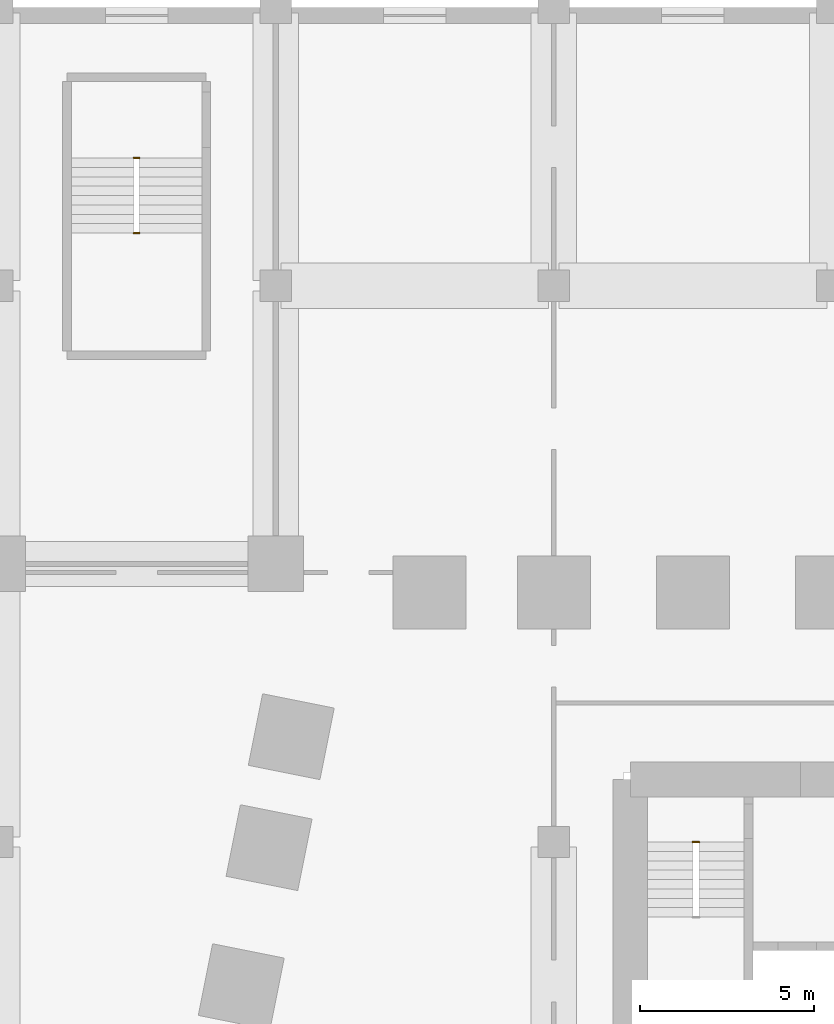
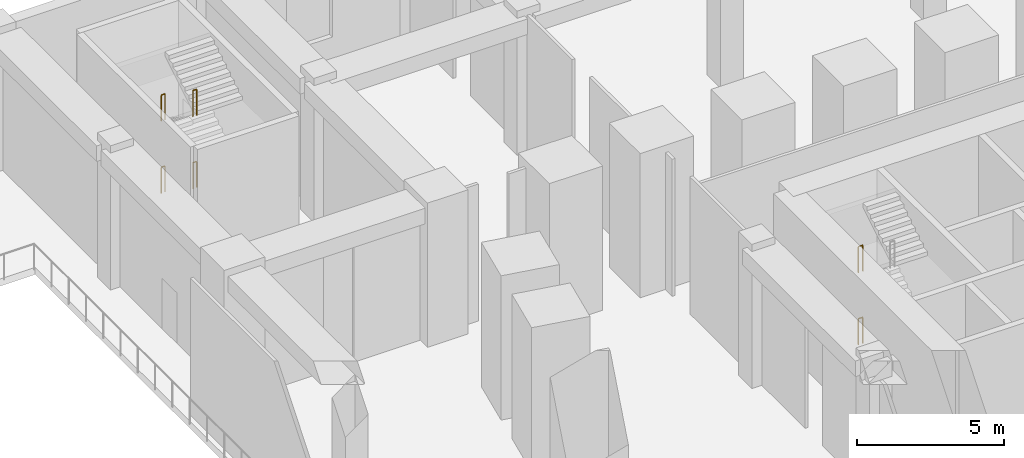
# One storey, part 23 of 25: 6 railings.
"""IFC4 building model written with IfcOpenShell, lengths in metres."""

import ifcopenshell
import ifcopenshell.guid

model = None  # the IFC model being written
_history = None  # IfcOwnerHistory: only IFC2X3 demands one
_inside = {}  # id of a spatial element -> (the spatial element, [elements in it])
_under = {}  # id of a project, library or spatial element -> (it, [spatial elements below it])
_declared = {}  # id of a project -> (the project, [libraries it declares])
_typed = {}  # id of a type object -> (the type object, [elements of that type])
_made_of = {}  # id of a material, layer set ... -> (it, [elements and type objects made of it])


def new_model(schema):
    """Start an empty IFC model of exactly this schema.

    Asked for "IFC4X3", IfcOpenShell would pick the latest addendum, in which some entities
    have other attributes; the version numbers below select the first issue.
    IFC2X3 requires an IfcOwnerHistory on every rooted entity: one is made here for all.
    """
    global model, _history
    if schema == "IFC4X3":
        model = ifcopenshell.file(schema_version=(4, 3, 0, 0))
    else:
        model = ifcopenshell.file(schema=schema)
    _inside.clear()
    _under.clear()
    _declared.clear()
    _typed.clear()
    _made_of.clear()
    _history = None
    if model.schema == "IFC2X3":
        org = make("IfcOrganization", Name="unknown")
        user = make(
            "IfcPersonAndOrganization",
            ThePerson=make("IfcPerson", FamilyName="unknown"),
            TheOrganization=org,
        )
        app = make(
            "IfcApplication",
            ApplicationDeveloper=org,
            Version="unknown",
            ApplicationFullName="unknown",
            ApplicationIdentifier="unknown",
        )
        _history = make(
            "IfcOwnerHistory",
            OwningUser=user,
            OwningApplication=app,
            ChangeAction="ADDED",
            CreationDate=0,
        )
    return model


def make(cls, **values):
    """One entity of the class cls with the attributes given. An attribute that is None is left unset."""
    return model.create_entity(
        cls, **{name: value for name, value in values.items() if value is not None}
    )


def rooted(cls, **values):
    """An entity with a GlobalId (a new one), such as an element, a storey or a relation."""
    return make(cls, GlobalId=ifcopenshell.guid.new(), OwnerHistory=_history, **values)


def si_unit(unit_type, name, prefix=None):
    """IfcSIUnit, for example si_unit("LENGTHUNIT", "METRE", prefix="MILLI")."""
    return make("IfcSIUnit", UnitType=unit_type, Prefix=prefix, Name=name)


def assignment(units):
    """IfcUnitAssignment: the units of a project."""
    return None if units is None else make("IfcUnitAssignment", Units=units)


def point(xyz):
    """IfcCartesianPoint."""
    return None if xyz is None else make("IfcCartesianPoint", Coordinates=xyz)


def direction(xyz):
    """IfcDirection."""
    return None if xyz is None else make("IfcDirection", DirectionRatios=xyz)


def frame(location, z_axis=None, x_axis=None):
    """IfcAxis2Placement3D, a coordinate frame: its origin and axes. An axis left out is left unset."""
    return make(
        "IfcAxis2Placement3D",
        Location=point(location),
        Axis=direction(z_axis),
        RefDirection=direction(x_axis),
    )


def frame_2d(location, x_axis=None):
    """IfcAxis2Placement2D, a coordinate frame in the plane: its origin and x axis."""
    return make(
        "IfcAxis2Placement2D", Location=point(location), RefDirection=direction(x_axis)
    )


def origin():
    """The frame at (0, 0, 0) with its axes left unset."""
    return frame((0.0, 0.0, 0.0))


def origin_2d():
    """The frame at (0, 0) in the plane with its x axis left unset."""
    return frame_2d((0.0, 0.0))


def place(relative_to, where):
    """IfcLocalPlacement: puts the frame where relative to a parent placement (None: the world)."""
    return make(
        "IfcLocalPlacement", PlacementRelTo=relative_to, RelativePlacement=where
    )


def context(
    kind, dimensions, precision=None, world=None, true_north=None, identifier=None
):
    """IfcGeometricRepresentationContext, for example the 3D "Model" context."""
    return make(
        "IfcGeometricRepresentationContext",
        ContextIdentifier=identifier,
        ContextType=kind,
        CoordinateSpaceDimension=dimensions,
        Precision=precision,
        WorldCoordinateSystem=world,
        TrueNorth=true_north,
    )


def subcontext(parent, identifier, kind, view, scale=None):
    """IfcGeometricRepresentationSubContext, for example "Body" below "Model"."""
    return make(
        "IfcGeometricRepresentationSubContext",
        ContextIdentifier=identifier,
        ContextType=kind,
        ParentContext=parent,
        TargetScale=scale,
        TargetView=view,
    )


def project(units=None, contexts=None):
    """IfcProject with its units and contexts."""
    return rooted(
        "IfcProject",
        Name="project",
        RepresentationContexts=contexts,
        UnitsInContext=assignment(units),
    )


def spatial(cls, under=None, at=None, **own):
    """A site, building, storey or space (cls), placed at a placement, below another one or the project."""
    s = rooted(cls, ObjectPlacement=at, **own)
    if under is not None:
        _under.setdefault(under.id(), (under, []))[1].append(s)
    return s


def profile(cls, at=None, kind="AREA", **sizes):
    """A parametric profile (cls). Its sizes go by their IFC names, for example OverallWidth=200.0."""
    return make(cls, ProfileType=kind, Position=at, **sizes)


def circle(**sizes):
    """IfcCircleProfileDef."""
    return profile("IfcCircleProfileDef", **sizes)


def extrude(swept, where, along, depth):
    """IfcExtrudedAreaSolid: the profile swept, set in the frame where, extruded along a direction by depth."""
    return make(
        "IfcExtrudedAreaSolid",
        SweptArea=swept,
        Position=where,
        ExtrudedDirection=direction(along),
        Depth=depth,
    )


def shape(context_of_items, identifier, shape_type, items):
    """IfcShapeRepresentation: the items that make up one representation, for example the "Body"."""
    return make(
        "IfcShapeRepresentation",
        ContextOfItems=context_of_items,
        RepresentationIdentifier=identifier,
        RepresentationType=shape_type,
        Items=items,
    )


def material(Name=None, Category=None):
    """IfcMaterial."""
    return make("IfcMaterial", Name=Name, Category=Category)


def made_of(thing, what):
    """Note that an element or type object is made of a material, layer set ...; save() writes the relation."""
    if what is not None:
        _made_of.setdefault(what.id(), (what, []))[1].append(thing)
    return thing


def type_object(cls, material=None, **own):
    """A type object (cls), such as IfcWallType, which elements share."""
    return made_of(rooted(cls, **own), material)


def element(
    cls,
    number,
    at=None,
    inside=None,
    cuts=None,
    type_object=None,
    material=None,
    context=None,
    identifier="Body",
    shape_type=None,
    held_by="IfcProductDefinitionShape",
    body=None,
    shapes=None,
    **own,
):
    """One element of the class cls, such as IfcWall. Its Tag is "e" and its number.

    at: its placement. inside: the storey or other place that contains it. cuts: it is an
    opening in that element (IfcRelVoidsElement). A single representation is given by context,
    identifier, shape_type and body (its items); several are given by shapes. held_by: the class
    of the entity that holds the representations. save() writes the other relations.
    """
    e = rooted(cls, Tag="e%d" % number, ObjectPlacement=at, **own)
    if body is not None:
        shapes = [shape(context, identifier, shape_type, body)]
    if shapes is not None:
        e.Representation = make(held_by, Representations=shapes)
    if inside is not None:
        _inside.setdefault(inside.id(), (inside, []))[1].append(e)
    if cuts is not None:
        rooted(
            "IfcRelVoidsElement", RelatingBuildingElement=cuts, RelatedOpeningElement=e
        )
    if type_object is not None:
        _typed.setdefault(type_object.id(), (type_object, []))[1].append(e)
    return made_of(e, material)


def aggregate(whole, parts):
    """IfcRelAggregates: a whole, such as a stair, and the parts it consists of."""
    return rooted("IfcRelAggregates", RelatingObject=whole, RelatedObjects=parts)


def save(model, path):
    """Write the relations noted so far, then the file.

    IfcRelAggregates (storeys below a building ...), IfcRelContainedInSpatialStructure (elements
    in a storey), IfcRelDefinesByType, IfcRelAssociatesMaterial and IfcRelDeclares: one each for
    every whole, place, type object, material and project.
    """
    for whole, parts in _under.values():
        aggregate(whole, parts)
    for where, things in _inside.values():
        rooted(
            "IfcRelContainedInSpatialStructure",
            RelatedElements=things,
            RelatingStructure=where,
        )
    for kind, things in _typed.values():
        rooted("IfcRelDefinesByType", RelatedObjects=things, RelatingType=kind)
    for what, things in _made_of.values():
        rooted("IfcRelAssociatesMaterial", RelatedObjects=things, RelatingMaterial=what)
    for by, libraries in _declared.values():
        rooted("IfcRelDeclares", RelatingContext=by, RelatedDefinitions=libraries)
    model.write(path)


model = new_model("IFC4")

# Units and contexts
model_context = context("Model", 3, precision=1e-05, world=origin(), true_north=direction((0.0, 1.0)))
body_context = subcontext(model_context, "Body", "Model", "MODEL_VIEW")
ifc_project = project(units=[si_unit("LENGTHUNIT", "METRE"), si_unit("AREAUNIT", "SQUARE_METRE"), si_unit("VOLUMEUNIT", "CUBIC_METRE"), si_unit("PLANEANGLEUNIT", "RADIAN"), si_unit("MASSUNIT", "GRAM", prefix="KILO")], contexts=[model_context])

# Site, building, storey
site_placement = place(None, origin())
site = spatial("IfcSite", under=ifc_project, at=site_placement, CompositionType="ELEMENT")
building_placement = place(site_placement, origin())
building = spatial("IfcBuilding", under=site, at=building_placement, Name="Isbrekke Arena Tower", CompositionType="ELEMENT")
storey_placement = place(building_placement, frame((0.0, 0.0, 6.0)))
storey = spatial("IfcBuildingStorey", under=building, at=storey_placement, Name="L01", CompositionType="ELEMENT", Elevation=6.0)

# Railings
ifc_material = material(Name="Steel stair guard, vertical bars, steel handrail", Category="steel")
railing_type = type_object("IfcRailingType", Name="GR3 STAIR WELL GUARD 1100", PredefinedType="GUARDRAIL", material=ifc_material)
for number, where, name in (
    (1, (-28.074951171875, 41.675048828125, 0.0), "GR3 stair well guard P2 L01"),
    (2, (-28.074951171875, 39.514892578125, 1.5), "GR3 stair well guard P2 L01"),
    (3, (-28.074951171875, 41.675048828125, 3.0), "GR3 stair well guard P2 L01"),
    (4, (-28.074951171875, 39.514892578125, 4.5), "GR3 stair well guard P2 L01"),
):
    element("IfcRailing", number, at=place(storey_placement, frame(where)), inside=storey, type_object=railing_type, Name=name, PredefinedType="GUARDRAIL", context=body_context, shape_type="SweptSolid", body=[
        extrude(circle(Radius=0.02392578125, at=origin_2d()), frame((0.0, 0.0, 1.076171875), z_axis=(1.0, 0.0, 0.0), x_axis=(0.0, 1.0, 0.0)), (0.0, 0.0, 1.0), 0.14990234375),
        extrude(circle(Radius=0.02099609375, at=origin_2d()), origin(), (0.0, 0.0, 1.0), 1.052001953125),
        extrude(circle(Radius=0.02099609375, at=origin_2d()), frame((0.14990234375, 0.0, 0.0)), (0.0, 0.0, 1.0), 1.052001953125),
    ])
for number, where, name in (
    (5, (-12.0, 22.0, 0.0), "GR3 stair well guard ST1 L01"),
    (6, (-12.0, 22.0, 3.0), "GR3 stair well guard ST1 L01"),
):
    element("IfcRailing", number, at=place(storey_placement, frame(where)), inside=storey, type_object=railing_type, Name=name, PredefinedType="GUARDRAIL", context=body_context, shape_type="SweptSolid", body=[
        extrude(circle(Radius=0.02392578125, at=origin_2d()), frame((0.0, 0.0, 1.076171875), z_axis=(1.0, 0.0, 0.0), x_axis=(0.0, 1.0, 0.0)), (0.0, 0.0, 1.0), 0.175048828125),
        extrude(circle(Radius=0.02099609375, at=origin_2d()), origin(), (0.0, 0.0, 1.0), 1.052001953125),
        extrude(circle(Radius=0.02099609375, at=origin_2d()), frame((0.175048828125, 0.0, 0.0)), (0.0, 0.0, 1.0), 1.052001953125),
    ])

save(model, "model.ifc")
